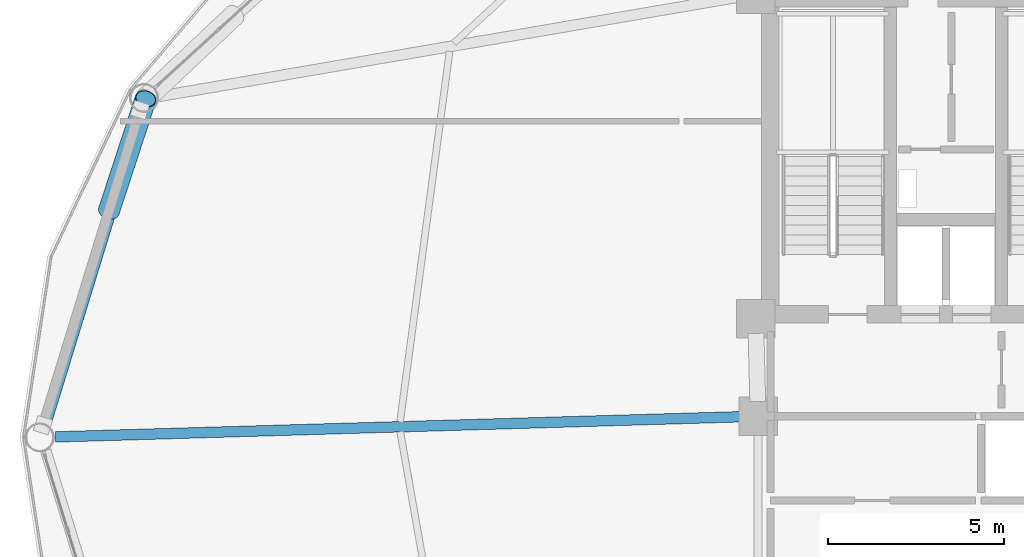
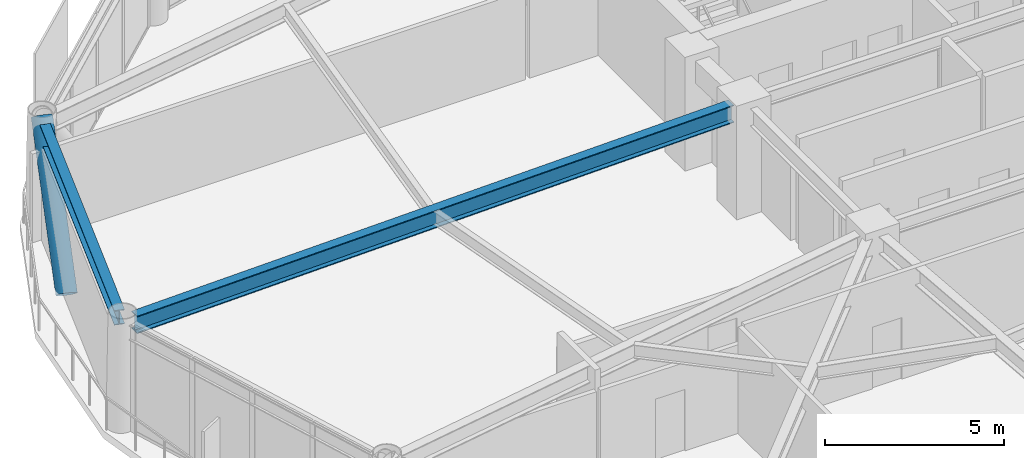
# One storey, part 9 of 24: 2 beams, 1 member.
"""IFC4 building model written with IfcOpenShell, lengths in metres."""

from ifc_helpers import new_model, si_unit, direction, frame, origin, origin_2d, place, context, subcontext, project, spatial, hollow_circle, i_section, extrude, material, material_profile, profile_set, type_object, element, save


model = new_model("IFC4")

# Units and contexts
model_context = context("Model", 3, precision=1e-05, world=origin(), true_north=direction((0.0, 1.0)))
body_context = subcontext(model_context, "Body", "Model", "MODEL_VIEW")
ifc_project = project(units=[si_unit("LENGTHUNIT", "METRE"), si_unit("AREAUNIT", "SQUARE_METRE"), si_unit("VOLUMEUNIT", "CUBIC_METRE"), si_unit("PLANEANGLEUNIT", "RADIAN"), si_unit("MASSUNIT", "GRAM", prefix="KILO")], contexts=[model_context])

# Site, building, storey
site_placement = place(None, origin())
site = spatial("IfcSite", under=ifc_project, at=site_placement, CompositionType="ELEMENT")
building_placement = place(site_placement, origin())
building = spatial("IfcBuilding", under=site, at=building_placement, Name="Varnakorn Sky Granary", CompositionType="ELEMENT")
storey_placement = place(building_placement, frame((0.0, 0.0, 118.800048828125)))
storey = spatial("IfcBuildingStorey", under=building, at=storey_placement, Name="L29", CompositionType="ELEMENT", Elevation=118.800048828125)

# Beams
ifc_material_1 = material(Name="Steel S355JR", Category="steel")
ifc_material_profile_1 = material_profile(ifc_material_1, i_section(OverallWidth=0.300048828125, OverallDepth=0.60009765625, WebThickness=0.015380859375, FlangeThickness=0.030029296875, at=origin_2d()), Name="HE 600 B")
ifc_profile_set_1 = profile_set([ifc_material_profile_1], Name="Steel S355JR")
beam_type_1 = type_object("IfcBeamType", Name="BM-RAD-Z2", PredefinedType="BEAM", material=ifc_profile_set_1)
beam_1_placement = place(storey_placement, frame((-2.769775390625, 0.587646484375, 3.33984375), z_axis=(-0.999567711394, -0.029400515964, 0.0), x_axis=(0.029400515964, -0.999567711394, 0.0)))
element("IfcBeam", 1, at=beam_1_placement, inside=storey, type_object=beam_type_1, Name="Radial Floor Girder RG07 L29", PredefinedType="BEAM", context=body_context, shape_type="SweptSolid", body=[
    extrude(i_section(OverallWidth=0.300048828125, OverallDepth=0.60009765625, WebThickness=0.015380859375, FlangeThickness=0.030029296875, at=origin_2d()), origin(), (0.0, 0.0, 1.0), 19.597412109375),
])
ifc_material_profile_2 = material_profile(ifc_material_1, i_section(OverallWidth=0.300048828125, OverallDepth=0.5, WebThickness=0.014404296875, FlangeThickness=0.028076171875, at=origin_2d()), Name="HE 500 B")
ifc_profile_set_2 = profile_set([ifc_material_profile_2], Name="Steel S355JR")
beam_type_2 = type_object("IfcBeamType", Name="BM-SPD-Z2", PredefinedType="SPANDREL", material=ifc_profile_set_2)
beam_2_placement = place(storey_placement, frame((-19.901123046875, 9.268798828125, 3.389892578125), z_axis=(-0.293801908991, -0.955866328664, 0.0), x_axis=(0.955866328664, -0.293801908991, 0.0)))
element("IfcBeam", 2, at=beam_2_placement, inside=storey, type_object=beam_type_2, Name="Perimeter Spandrel Ring Beam RB06 L29", PredefinedType="SPANDREL", context=body_context, shape_type="SweptSolid", body=[
    extrude(i_section(OverallWidth=0.300048828125, OverallDepth=0.5, WebThickness=0.014404296875, FlangeThickness=0.028076171875, at=origin_2d()), origin(), (0.0, 0.0, 1.0), 9.30517578125),
])

# Member
ifc_material_2 = material(Name="Steel S460M", Category="steel")
ifc_material_profile_3 = material_profile(ifc_material_2, hollow_circle(Radius=0.304931640625, WallThickness=0.022216796875, at=origin_2d()), Name="CHS 610x22")
ifc_profile_set_3 = profile_set([ifc_material_profile_3], Name="Steel S460M")
member_type = type_object("IfcMemberType", Name="MB-DIAG-T1", PredefinedType="BRACE", material=ifc_profile_set_3)
member_placement = place(storey_placement, frame((-20.835205078125, 6.444580078125, -0.130126953125), z_axis=(0.207568610593, 0.632849980773, 0.745933089313), x_axis=(-0.950195391802, 0.311654804868, 0.0)))
element("IfcMember", 3, at=member_placement, inside=storey, type_object=member_type, Name="Perimeter CHS Diagrid Brace DG06 L29", PredefinedType="BRACE", context=body_context, shape_type="SweptSolid", body=[
    extrude(hollow_circle(Radius=0.304931640625, WallThickness=0.022216796875, at=origin_2d()), origin(), (0.0, 0.0, 1.0), 5.05419921875),
])

save(model, "model.ifc")
